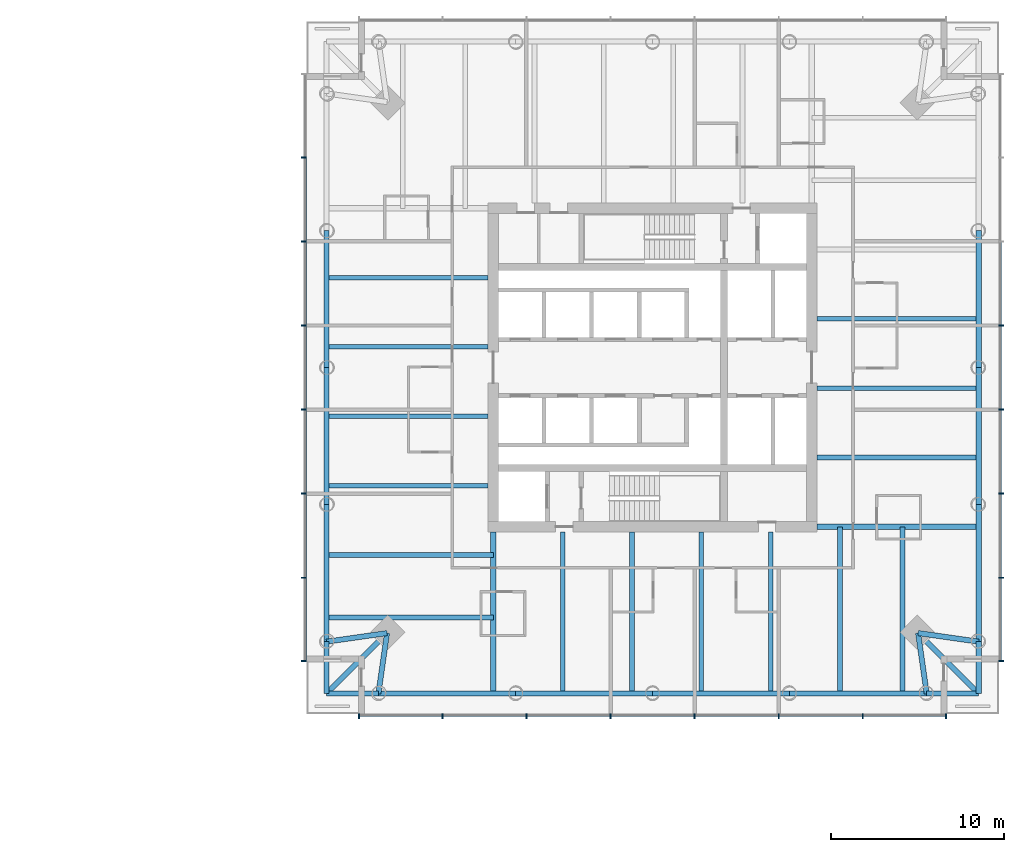
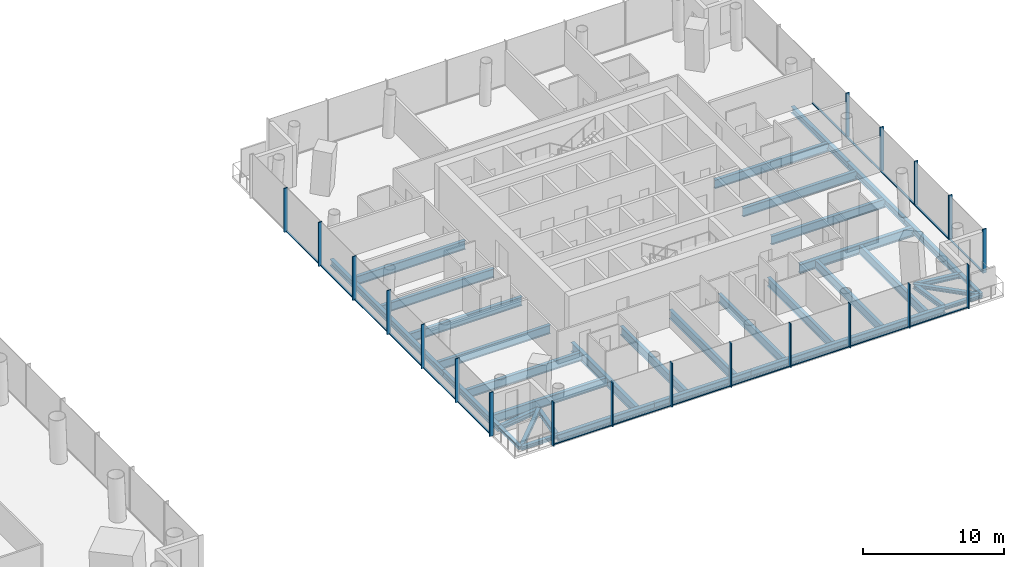
# One storey, part 5 of 19: 38 members, 37 beams, 3 elements without a shape of their own.
"""IFC4 building model written with IfcOpenShell, lengths in metres."""

import ifcopenshell
import ifcopenshell.guid

model = None  # the IFC model being written
_history = None  # IfcOwnerHistory: only IFC2X3 demands one
_inside = {}  # id of a spatial element -> (the spatial element, [elements in it])
_under = {}  # id of a project, library or spatial element -> (it, [spatial elements below it])
_declared = {}  # id of a project -> (the project, [libraries it declares])
_typed = {}  # id of a type object -> (the type object, [elements of that type])
_made_of = {}  # id of a material, layer set ... -> (it, [elements and type objects made of it])


def new_model(schema):
    """Start an empty IFC model of exactly this schema.

    Asked for "IFC4X3", IfcOpenShell would pick the latest addendum, in which some entities
    have other attributes; the version numbers below select the first issue.
    IFC2X3 requires an IfcOwnerHistory on every rooted entity: one is made here for all.
    """
    global model, _history
    if schema == "IFC4X3":
        model = ifcopenshell.file(schema_version=(4, 3, 0, 0))
    else:
        model = ifcopenshell.file(schema=schema)
    _inside.clear()
    _under.clear()
    _declared.clear()
    _typed.clear()
    _made_of.clear()
    _history = None
    if model.schema == "IFC2X3":
        org = make("IfcOrganization", Name="unknown")
        user = make(
            "IfcPersonAndOrganization",
            ThePerson=make("IfcPerson", FamilyName="unknown"),
            TheOrganization=org,
        )
        app = make(
            "IfcApplication",
            ApplicationDeveloper=org,
            Version="unknown",
            ApplicationFullName="unknown",
            ApplicationIdentifier="unknown",
        )
        _history = make(
            "IfcOwnerHistory",
            OwningUser=user,
            OwningApplication=app,
            ChangeAction="ADDED",
            CreationDate=0,
        )
    return model


def make(cls, **values):
    """One entity of the class cls with the attributes given. An attribute that is None is left unset."""
    return model.create_entity(
        cls, **{name: value for name, value in values.items() if value is not None}
    )


def rooted(cls, **values):
    """An entity with a GlobalId (a new one), such as an element, a storey or a relation."""
    return make(cls, GlobalId=ifcopenshell.guid.new(), OwnerHistory=_history, **values)


def si_unit(unit_type, name, prefix=None):
    """IfcSIUnit, for example si_unit("LENGTHUNIT", "METRE", prefix="MILLI")."""
    return make("IfcSIUnit", UnitType=unit_type, Prefix=prefix, Name=name)


def assignment(units):
    """IfcUnitAssignment: the units of a project."""
    return None if units is None else make("IfcUnitAssignment", Units=units)


def point(xyz):
    """IfcCartesianPoint."""
    return None if xyz is None else make("IfcCartesianPoint", Coordinates=xyz)


def direction(xyz):
    """IfcDirection."""
    return None if xyz is None else make("IfcDirection", DirectionRatios=xyz)


def frame(location, z_axis=None, x_axis=None):
    """IfcAxis2Placement3D, a coordinate frame: its origin and axes. An axis left out is left unset."""
    return make(
        "IfcAxis2Placement3D",
        Location=point(location),
        Axis=direction(z_axis),
        RefDirection=direction(x_axis),
    )


def frame_2d(location, x_axis=None):
    """IfcAxis2Placement2D, a coordinate frame in the plane: its origin and x axis."""
    return make(
        "IfcAxis2Placement2D", Location=point(location), RefDirection=direction(x_axis)
    )


def origin():
    """The frame at (0, 0, 0) with its axes left unset."""
    return frame((0.0, 0.0, 0.0))


def origin_2d():
    """The frame at (0, 0) in the plane with its x axis left unset."""
    return frame_2d((0.0, 0.0))


def place(relative_to, where):
    """IfcLocalPlacement: puts the frame where relative to a parent placement (None: the world)."""
    return make(
        "IfcLocalPlacement", PlacementRelTo=relative_to, RelativePlacement=where
    )


def context(
    kind, dimensions, precision=None, world=None, true_north=None, identifier=None
):
    """IfcGeometricRepresentationContext, for example the 3D "Model" context."""
    return make(
        "IfcGeometricRepresentationContext",
        ContextIdentifier=identifier,
        ContextType=kind,
        CoordinateSpaceDimension=dimensions,
        Precision=precision,
        WorldCoordinateSystem=world,
        TrueNorth=true_north,
    )


def subcontext(parent, identifier, kind, view, scale=None):
    """IfcGeometricRepresentationSubContext, for example "Body" below "Model"."""
    return make(
        "IfcGeometricRepresentationSubContext",
        ContextIdentifier=identifier,
        ContextType=kind,
        ParentContext=parent,
        TargetScale=scale,
        TargetView=view,
    )


def project(units=None, contexts=None):
    """IfcProject with its units and contexts."""
    return rooted(
        "IfcProject",
        Name="project",
        RepresentationContexts=contexts,
        UnitsInContext=assignment(units),
    )


def spatial(cls, under=None, at=None, **own):
    """A site, building, storey or space (cls), placed at a placement, below another one or the project."""
    s = rooted(cls, ObjectPlacement=at, **own)
    if under is not None:
        _under.setdefault(under.id(), (under, []))[1].append(s)
    return s


def profile(cls, at=None, kind="AREA", **sizes):
    """A parametric profile (cls). Its sizes go by their IFC names, for example OverallWidth=200.0."""
    return make(cls, ProfileType=kind, Position=at, **sizes)


def rectangle(**sizes):
    """IfcRectangleProfileDef."""
    return profile("IfcRectangleProfileDef", **sizes)


def i_section(**sizes):
    """IfcIShapeProfileDef."""
    return profile("IfcIShapeProfileDef", **sizes)


def extrude(swept, where, along, depth):
    """IfcExtrudedAreaSolid: the profile swept, set in the frame where, extruded along a direction by depth."""
    return make(
        "IfcExtrudedAreaSolid",
        SweptArea=swept,
        Position=where,
        ExtrudedDirection=direction(along),
        Depth=depth,
    )


def shape(context_of_items, identifier, shape_type, items):
    """IfcShapeRepresentation: the items that make up one representation, for example the "Body"."""
    return make(
        "IfcShapeRepresentation",
        ContextOfItems=context_of_items,
        RepresentationIdentifier=identifier,
        RepresentationType=shape_type,
        Items=items,
    )


def material(Name=None, Category=None):
    """IfcMaterial."""
    return make("IfcMaterial", Name=Name, Category=Category)


def material_profile(
    of_material, cross_section, Name=None, Category=None, Priority=None
):
    """IfcMaterialProfile: a cross section and its material."""
    return make(
        "IfcMaterialProfile",
        Name=Name,
        Material=of_material,
        Profile=cross_section,
        Priority=Priority,
        Category=Category,
    )


def profile_set(profiles, Name=None, composite=None):
    """IfcMaterialProfileSet."""
    return make(
        "IfcMaterialProfileSet",
        Name=Name,
        MaterialProfiles=profiles,
        CompositeProfile=composite,
    )


def made_of(thing, what):
    """Note that an element or type object is made of a material, layer set ...; save() writes the relation."""
    if what is not None:
        _made_of.setdefault(what.id(), (what, []))[1].append(thing)
    return thing


def type_object(cls, material=None, **own):
    """A type object (cls), such as IfcWallType, which elements share."""
    return made_of(rooted(cls, **own), material)


def element(
    cls,
    number,
    at=None,
    inside=None,
    cuts=None,
    type_object=None,
    material=None,
    context=None,
    identifier="Body",
    shape_type=None,
    held_by="IfcProductDefinitionShape",
    body=None,
    shapes=None,
    **own,
):
    """One element of the class cls, such as IfcWall. Its Tag is "e" and its number.

    at: its placement. inside: the storey or other place that contains it. cuts: it is an
    opening in that element (IfcRelVoidsElement). A single representation is given by context,
    identifier, shape_type and body (its items); several are given by shapes. held_by: the class
    of the entity that holds the representations. save() writes the other relations.
    """
    e = rooted(cls, Tag="e%d" % number, ObjectPlacement=at, **own)
    if body is not None:
        shapes = [shape(context, identifier, shape_type, body)]
    if shapes is not None:
        e.Representation = make(held_by, Representations=shapes)
    if inside is not None:
        _inside.setdefault(inside.id(), (inside, []))[1].append(e)
    if cuts is not None:
        rooted(
            "IfcRelVoidsElement", RelatingBuildingElement=cuts, RelatedOpeningElement=e
        )
    if type_object is not None:
        _typed.setdefault(type_object.id(), (type_object, []))[1].append(e)
    return made_of(e, material)


def aggregate(whole, parts):
    """IfcRelAggregates: a whole, such as a stair, and the parts it consists of."""
    return rooted("IfcRelAggregates", RelatingObject=whole, RelatedObjects=parts)


def save(model, path):
    """Write the relations noted so far, then the file.

    IfcRelAggregates (storeys below a building ...), IfcRelContainedInSpatialStructure (elements
    in a storey), IfcRelDefinesByType, IfcRelAssociatesMaterial and IfcRelDeclares: one each for
    every whole, place, type object, material and project.
    """
    for whole, parts in _under.values():
        aggregate(whole, parts)
    for where, things in _inside.values():
        rooted(
            "IfcRelContainedInSpatialStructure",
            RelatedElements=things,
            RelatingStructure=where,
        )
    for kind, things in _typed.values():
        rooted("IfcRelDefinesByType", RelatedObjects=things, RelatingType=kind)
    for what, things in _made_of.values():
        rooted("IfcRelAssociatesMaterial", RelatedObjects=things, RelatingMaterial=what)
    for by, libraries in _declared.values():
        rooted("IfcRelDeclares", RelatingContext=by, RelatedDefinitions=libraries)
    model.write(path)


model = new_model("IFC4")

# Units and contexts
model_context = context("Model", 3, precision=1e-05, world=origin(), true_north=direction((0.0, 1.0)))
body_context = subcontext(model_context, "Body", "Model", "MODEL_VIEW")
ifc_project = project(units=[si_unit("LENGTHUNIT", "METRE"), si_unit("AREAUNIT", "SQUARE_METRE"), si_unit("VOLUMEUNIT", "CUBIC_METRE"), si_unit("PLANEANGLEUNIT", "RADIAN"), si_unit("MASSUNIT", "GRAM", prefix="KILO")], contexts=[model_context])

# Site, building, storey
site_placement = place(None, origin())
site = spatial("IfcSite", under=ifc_project, at=site_placement, CompositionType="ELEMENT")
building_placement = place(site_placement, origin())
building = spatial("IfcBuilding", under=site, at=building_placement, Name="Ostroluk Exchange", CompositionType="ELEMENT")
storey_placement = place(building_placement, frame((0.0, 0.0, 24.800048828125)))
storey = spatial("IfcBuildingStorey", under=building, at=storey_placement, Name="L05", CompositionType="ELEMENT", Elevation=24.800048828125)

# Beams
ifc_material_1 = material(Name="Steel S355", Category="steel")
ifc_material_profile_1 = material_profile(ifc_material_1, i_section(OverallWidth=0.300048828125, OverallDepth=0.300048828125, WebThickness=0.010986328125, FlangeThickness=0.01904296875, FilletRadius=0.027099609375, at=origin_2d()), Name="HEB 300")
ifc_profile_set_1 = profile_set([ifc_material_profile_1], Name="Steel S355")
beam_type_1 = type_object("IfcBeamType", Name="Balcony beam HEB 300", PredefinedType="BEAM", material=ifc_profile_set_1)
for number, where, z_axis, x_axis, name in (
    (1, (98.163818359375, 30.163818359375, -0.35009765625), (0.0, -1.0, 0.0), (1.0, 0.0, 0.0), "T2 west balcony beam a"),
    (2, (101.163818359375, 27.163818359375, -0.35009765625), (-1.0, 0.0, 0.0), (0.0, -1.0, 0.0), "T2 west balcony beam b"),
):
    element("IfcBeam", number, at=place(storey_placement, frame(where, z_axis=z_axis, x_axis=x_axis)), inside=storey, type_object=beam_type_1, Name=name, PredefinedType="BEAM", context=body_context, shape_type="SweptSolid", body=[
        extrude(i_section(OverallWidth=0.300048828125, OverallDepth=0.300048828125, WebThickness=0.010986328125, FlangeThickness=0.01904296875, FilletRadius=0.027099609375, at=origin_2d()), origin(), (0.0, 0.0, 1.0), 3.0),
    ])
beam_1_placement = place(storey_placement, frame((101.663818359375, 30.663818359375, -0.35009765625), z_axis=(-0.707106781187, -0.707106781187, 0.0), x_axis=(0.707106781187, -0.707106781187, 0.0)))
element("IfcBeam", 3, at=beam_1_placement, inside=storey, type_object=beam_type_1, Name="T2 west balcony beam c", PredefinedType="BEAM", context=body_context, shape_type="SweptSolid", body=[
    extrude(i_section(OverallWidth=0.300048828125, OverallDepth=0.300048828125, WebThickness=0.010986328125, FlangeThickness=0.01904296875, FilletRadius=0.027099609375, at=origin_2d()), origin(), (0.0, 0.0, 1.0), 4.94970703125),
])
for number, where, z_axis, x_axis, name in (
    (4, (132.836181640625, 27.163818359375, -0.35009765625), (1.0, 0.0, 0.0), (0.0, 1.0, 0.0), "T2 south balcony beam a"),
    (5, (135.836181640625, 30.163818359375, -0.35009765625), (0.0, -1.0, 0.0), (1.0, 0.0, 0.0), "T2 south balcony beam b"),
):
    element("IfcBeam", number, at=place(storey_placement, frame(where, z_axis=z_axis, x_axis=x_axis)), inside=storey, type_object=beam_type_1, Name=name, PredefinedType="BEAM", context=body_context, shape_type="SweptSolid", body=[
        extrude(i_section(OverallWidth=0.300048828125, OverallDepth=0.300048828125, WebThickness=0.010986328125, FlangeThickness=0.01904296875, FilletRadius=0.027099609375, at=origin_2d()), origin(), (0.0, 0.0, 1.0), 3.0),
    ])
beam_2_placement = place(storey_placement, frame((132.336181640625, 30.663818359375, -0.35009765625), z_axis=(0.707106781187, -0.707106781187, 0.0), x_axis=(0.707106781187, 0.707106781187, 0.0)))
element("IfcBeam", 6, at=beam_2_placement, inside=storey, type_object=beam_type_1, Name="T2 south balcony beam c", PredefinedType="BEAM", context=body_context, shape_type="SweptSolid", body=[
    extrude(i_section(OverallWidth=0.300048828125, OverallDepth=0.300048828125, WebThickness=0.010986328125, FlangeThickness=0.01904296875, FilletRadius=0.027099609375, at=origin_2d()), origin(), (0.0, 0.0, 1.0), 4.94970703125),
])
ifc_material_2 = material(Name="Steel S355", Category="steel")
ifc_material_profile_2 = material_profile(ifc_material_2, i_section(OverallWidth=0.300048828125, OverallDepth=0.39990234375, WebThickness=0.013427734375, FlangeThickness=0.02392578125, FilletRadius=0.027099609375, at=origin_2d()), Name="HEB 400")
ifc_profile_set_2 = profile_set([ifc_material_profile_2], Name="Steel S355")
beam_type_2 = type_object("IfcBeamType", Name="Corner edge beam HEB 400", PredefinedType="SPANDREL", material=ifc_profile_set_2)
for number, where, z_axis, x_axis, name in (
    (7, (101.663818359375, 30.663818359375, -0.400146484375), (-0.989949493661, -0.141421356237, 0.0), (0.141421356237, -0.989949493661, 0.0), "T2 west corner edge beam a"),
    (8, (101.663818359375, 30.663818359375, -0.400146484375), (-0.141421356237, -0.989949493661, 0.0), (0.989949493661, -0.141421356237, 0.0), "T2 west corner edge beam b"),
    (9, (132.336181640625, 30.663818359375, -0.400146484375), (0.141421356237, -0.989949493661, 0.0), (0.989949493661, 0.141421356237, 0.0), "T2 south corner edge beam a"),
    (10, (132.336181640625, 30.663818359375, -0.400146484375), (0.989949493661, -0.141421356237, 0.0), (0.141421356237, 0.989949493661, 0.0), "T2 south corner edge beam b"),
):
    element("IfcBeam", number, at=place(storey_placement, frame(where, z_axis=z_axis, x_axis=x_axis)), inside=storey, type_object=beam_type_2, Name=name, PredefinedType="SPANDREL", context=body_context, shape_type="SweptSolid", body=[
        extrude(i_section(OverallWidth=0.300048828125, OverallDepth=0.39990234375, WebThickness=0.013427734375, FlangeThickness=0.02392578125, FilletRadius=0.027099609375, at=origin_2d()), origin(), (0.0, 0.0, 1.0), 3.53564453125),
    ])
ifc_material_3 = material(Name="Steel S355", Category="steel")
ifc_material_profile_3 = material_profile(ifc_material_3, i_section(OverallWidth=0.264892578125, OverallDepth=0.7529296875, WebThickness=0.01318359375, FlangeThickness=0.01708984375, FilletRadius=0.01708984375, at=origin_2d()), Name="IPE 750x147")
ifc_profile_set_3 = profile_set([ifc_material_profile_3], Name="Steel S355")
beam_type_3 = type_object("IfcBeamType", Name="Floor beam IPE 750x147", PredefinedType="BEAM", material=ifc_profile_set_3)
for number, where, z_axis, x_axis, name in (
    (11, (126.5, 40.80517578125, -0.57666015625), (1.0, 0.0, 0.0), (0.0, 1.0, 0.0), "T2 east floor beam 1"),
    (12, (126.5, 44.810302734375, -0.57666015625), (1.0, 0.0, 0.0), (0.0, 1.0, 0.0), "T2 east floor beam 2"),
    (13, (126.5, 48.8154296875, -0.57666015625), (1.0, 0.0, 0.0), (0.0, 1.0, 0.0), "T2 east floor beam 3"),
    (14, (107.5, 51.19482421875, -0.57666015625), (-1.0, 0.0, 0.0), (0.0, -1.0, 0.0), "T2 west floor beam 1"),
    (15, (107.5, 47.189697265625, -0.57666015625), (-1.0, 0.0, 0.0), (0.0, -1.0, 0.0), "T2 west floor beam 2"),
    (16, (107.5, 43.1845703125, -0.57666015625), (-1.0, 0.0, 0.0), (0.0, -1.0, 0.0), "T2 west floor beam 3"),
    (17, (107.5, 39.17919921875, -0.57666015625), (-1.0, 0.0, 0.0), (0.0, -1.0, 0.0), "T2 west floor beam 4"),
):
    element("IfcBeam", number, at=place(storey_placement, frame(where, z_axis=z_axis, x_axis=x_axis)), inside=storey, type_object=beam_type_3, Name=name, PredefinedType="BEAM", context=body_context, shape_type="SweptSolid", body=[
        extrude(i_section(OverallWidth=0.264892578125, OverallDepth=0.7529296875, WebThickness=0.01318359375, FlangeThickness=0.01708984375, FilletRadius=0.01708984375, at=origin_2d()), origin(), (0.0, 0.0, 1.0), 9.336181640625),
    ])
for number, where, z_axis, x_axis, name in (
    (18, (107.800048828125, 35.174072265625, -0.57666015625), (-1.0, 0.0, 0.0), (0.0, -1.0, 0.0), "T2 west floor beam 5"),
    (19, (107.800048828125, 31.563720703125, -0.57666015625), (-1.0, 0.0, 0.0), (0.0, -1.0, 0.0), "T2 west floor beam 6"),
):
    element("IfcBeam", number, at=place(storey_placement, frame(where, z_axis=z_axis, x_axis=x_axis)), inside=storey, type_object=beam_type_3, Name=name, PredefinedType="BEAM", context=body_context, shape_type="SweptSolid", body=[
        extrude(i_section(OverallWidth=0.264892578125, OverallDepth=0.7529296875, WebThickness=0.01318359375, FlangeThickness=0.01708984375, FilletRadius=0.01708984375, at=origin_2d()), origin(), (0.0, 0.0, 1.0), 9.63623046875),
    ])
for number, where, z_axis, x_axis, name in (
    (20, (111.80517578125, 36.5, -0.57666015625), (0.0, -1.0, 0.0), (1.0, 0.0, 0.0), "T2 south floor beam 1"),
    (21, (115.810302734375, 36.5, -0.57666015625), (0.0, -1.0, 0.0), (1.0, 0.0, 0.0), "T2 south floor beam 2"),
    (22, (119.8154296875, 36.5, -0.57666015625), (0.0, -1.0, 0.0), (1.0, 0.0, 0.0), "T2 south floor beam 3"),
    (23, (123.82080078125, 36.5, -0.57666015625), (0.0, -1.0, 0.0), (1.0, 0.0, 0.0), "T2 south floor beam 4"),
):
    element("IfcBeam", number, at=place(storey_placement, frame(where, z_axis=z_axis, x_axis=x_axis)), inside=storey, type_object=beam_type_3, Name=name, PredefinedType="BEAM", context=body_context, shape_type="SweptSolid", body=[
        extrude(i_section(OverallWidth=0.264892578125, OverallDepth=0.7529296875, WebThickness=0.01318359375, FlangeThickness=0.01708984375, FilletRadius=0.01708984375, at=origin_2d()), origin(), (0.0, 0.0, 1.0), 9.336181640625),
    ])
for number, where, z_axis, x_axis, name in (
    (24, (127.825927734375, 36.800048828125, -0.57666015625), (0.0, -1.0, 0.0), (1.0, 0.0, 0.0), "T2 south floor beam 5"),
    (25, (131.436279296875, 36.800048828125, -0.57666015625), (0.0, -1.0, 0.0), (1.0, 0.0, 0.0), "T2 south floor beam 6"),
):
    element("IfcBeam", number, at=place(storey_placement, frame(where, z_axis=z_axis, x_axis=x_axis)), inside=storey, type_object=beam_type_3, Name=name, PredefinedType="BEAM", context=body_context, shape_type="SweptSolid", body=[
        extrude(i_section(OverallWidth=0.264892578125, OverallDepth=0.7529296875, WebThickness=0.01318359375, FlangeThickness=0.01708984375, FilletRadius=0.01708984375, at=origin_2d()), origin(), (0.0, 0.0, 1.0), 9.63623046875),
    ])
ifc_material_4 = material(Name="Steel S355", Category="steel")
ifc_material_profile_4 = material_profile(ifc_material_4, i_section(OverallWidth=0.300048828125, OverallDepth=0.800048828125, WebThickness=0.017578125, FlangeThickness=0.032958984375, FilletRadius=0.030029296875, at=origin_2d()), Name="HEB 800")
ifc_profile_set_4 = profile_set([ifc_material_profile_4], Name="Steel S355")
beam_type_4 = type_object("IfcBeamType", Name="Girder HEB 800", PredefinedType="BEAM", material=ifc_profile_set_4)
for number, where, z_axis, x_axis, name in (
    (26, (107.800048828125, 36.5, -0.60009765625), (0.0, -1.0, 0.0), (1.0, 0.0, 0.0), "T2 west girder"),
    (27, (126.5, 36.800048828125, -0.60009765625), (1.0, 0.0, 0.0), (0.0, 1.0, 0.0), "T2 south girder"),
):
    element("IfcBeam", number, at=place(storey_placement, frame(where, z_axis=z_axis, x_axis=x_axis)), inside=storey, type_object=beam_type_4, Name=name, PredefinedType="BEAM", context=body_context, shape_type="SweptSolid", body=[
        extrude(i_section(OverallWidth=0.300048828125, OverallDepth=0.800048828125, WebThickness=0.017578125, FlangeThickness=0.032958984375, FilletRadius=0.030029296875, at=origin_2d()), origin(), (0.0, 0.0, 1.0), 9.336181640625),
    ])
ifc_material_5 = material(Name="Steel S355", Category="steel")
ifc_material_profile_5 = material_profile(ifc_material_5, i_section(OverallWidth=0.300048828125, OverallDepth=0.550048828125, WebThickness=0.014892578125, FlangeThickness=0.029052734375, FilletRadius=0.027099609375, at=origin_2d()), Name="HEB 550")
ifc_profile_set_5 = profile_set([ifc_material_profile_5], Name="Steel S355")
beam_type_5 = type_object("IfcBeamType", Name="Moment-connected edge beam HEB 550", PredefinedType="SPANDREL", material=ifc_profile_set_5)
beam_3_placement = place(storey_placement, frame((135.836181640625, 30.163818359375, -0.47509765625), z_axis=(0.0, 1.0, 0.0), x_axis=(-1.0, 0.0, 0.0)))
element("IfcBeam", 28, at=beam_3_placement, inside=storey, type_object=beam_type_5, Name="T2 east edge beam 1", PredefinedType="SPANDREL", context=body_context, shape_type="SweptSolid", body=[
    extrude(i_section(OverallWidth=0.300048828125, OverallDepth=0.550048828125, WebThickness=0.014892578125, FlangeThickness=0.029052734375, FilletRadius=0.027099609375, at=origin_2d()), origin(), (0.0, 0.0, 1.0), 7.91796875),
])
for number, where, z_axis, x_axis, name in (
    (29, (135.836181640625, 38.081787109375, -0.47509765625), (0.0, 1.0, 0.0), (-1.0, 0.0, 0.0), "T2 east edge beam 2"),
    (30, (135.836181640625, 46.0, -0.47509765625), (0.0, 1.0, 0.0), (-1.0, 0.0, 0.0), "T2 east edge beam 3"),
    (31, (98.163818359375, 53.918212890625, -0.47509765625), (0.0, -1.0, 0.0), (1.0, 0.0, 0.0), "T2 west edge beam 2"),
    (32, (98.163818359375, 46.0, -0.47509765625), (0.0, -1.0, 0.0), (1.0, 0.0, 0.0), "T2 west edge beam 3"),
):
    element("IfcBeam", number, at=place(storey_placement, frame(where, z_axis=z_axis, x_axis=x_axis)), inside=storey, type_object=beam_type_5, Name=name, PredefinedType="SPANDREL", context=body_context, shape_type="SweptSolid", body=[
        extrude(i_section(OverallWidth=0.300048828125, OverallDepth=0.550048828125, WebThickness=0.014892578125, FlangeThickness=0.029052734375, FilletRadius=0.027099609375, at=origin_2d()), origin(), (0.0, 0.0, 1.0), 7.918212890625),
    ])
for number, where, z_axis, x_axis, name in (
    (33, (98.163818359375, 38.081787109375, -0.47509765625), (0.0, -1.0, 0.0), (1.0, 0.0, 0.0), "T2 west edge beam 4"),
    (34, (101.163818359375, 27.163818359375, -0.47509765625), (1.0, 0.0, 0.0), (0.0, 1.0, 0.0), "T2 south edge beam 1"),
):
    element("IfcBeam", number, at=place(storey_placement, frame(where, z_axis=z_axis, x_axis=x_axis)), inside=storey, type_object=beam_type_5, Name=name, PredefinedType="SPANDREL", context=body_context, shape_type="SweptSolid", body=[
        extrude(i_section(OverallWidth=0.300048828125, OverallDepth=0.550048828125, WebThickness=0.014892578125, FlangeThickness=0.029052734375, FilletRadius=0.027099609375, at=origin_2d()), origin(), (0.0, 0.0, 1.0), 7.91796875),
    ])
for number, where, z_axis, x_axis, name in (
    (35, (109.081787109375, 27.163818359375, -0.47509765625), (1.0, 0.0, 0.0), (0.0, 1.0, 0.0), "T2 south edge beam 2"),
    (36, (117.0, 27.163818359375, -0.47509765625), (1.0, 0.0, 0.0), (0.0, 1.0, 0.0), "T2 south edge beam 3"),
):
    element("IfcBeam", number, at=place(storey_placement, frame(where, z_axis=z_axis, x_axis=x_axis)), inside=storey, type_object=beam_type_5, Name=name, PredefinedType="SPANDREL", context=body_context, shape_type="SweptSolid", body=[
        extrude(i_section(OverallWidth=0.300048828125, OverallDepth=0.550048828125, WebThickness=0.014892578125, FlangeThickness=0.029052734375, FilletRadius=0.027099609375, at=origin_2d()), origin(), (0.0, 0.0, 1.0), 7.918212890625),
    ])
beam_4_placement = place(storey_placement, frame((124.918212890625, 27.163818359375, -0.47509765625), z_axis=(1.0, 0.0, 0.0), x_axis=(0.0, 1.0, 0.0)))
element("IfcBeam", 37, at=beam_4_placement, inside=storey, type_object=beam_type_5, Name="T2 south edge beam 4", PredefinedType="SPANDREL", context=body_context, shape_type="SweptSolid", body=[
    extrude(i_section(OverallWidth=0.300048828125, OverallDepth=0.550048828125, WebThickness=0.014892578125, FlangeThickness=0.029052734375, FilletRadius=0.027099609375, at=origin_2d()), origin(), (0.0, 0.0, 1.0), 7.91796875),
])

# Curtain wall, members
ifc_material_6 = material(Name="Laminated clear glass", Category="glass")
curtain_wall_type = type_object("IfcCurtainWallType", Name="Hotel guest floor facade", PredefinedType="USERDEFINED", material=ifc_material_6)
curtain_wall_1_placement = place(storey_placement, origin())
curtain_wall_1 = element("IfcCurtainWall", 38, at=curtain_wall_1_placement, inside=storey, type_object=curtain_wall_type, Name="Hotel tower south facade L05", ObjectType="UNITISED CURTAIN WALL", PredefinedType="USERDEFINED")
ifc_material_7 = material(Name="Aluminium mullion", Category="aluminium")
ifc_material_profile_6 = material_profile(ifc_material_7, rectangle(XDim=0.14990234375, YDim=0.080078125, at=origin_2d()), Name="Sill transom 80 x 150")
ifc_profile_set_6 = profile_set([ifc_material_profile_6], Name="Aluminium mullion")
member_type_1 = type_object("IfcMemberType", Name="Sill transom 80 x 150", PredefinedType="USERDEFINED", material=ifc_profile_set_6)
member_1_placement = place(storey_placement, frame((100.080078125, 25.925048828125, 0.0400390625), z_axis=(1.0, 0.0, 0.0), x_axis=(0.0, 1.0, 0.0)))
member_1 = element("IfcMember", 39, at=member_1_placement, type_object=member_type_1, Name="CW-H1 transom 1.1", ObjectType="TRANSOM", PredefinedType="USERDEFINED", context=body_context, shape_type="SweptSolid", body=[
    extrude(rectangle(XDim=0.14990234375, YDim=0.080078125, at=origin_2d()), origin(), (0.0, 0.0, 1.0), 4.737060546875),
])
member_2_placement = place(storey_placement, frame((104.897216796875, 25.925048828125, 0.0400390625), z_axis=(1.0, 0.0, 0.0), x_axis=(0.0, 1.0, 0.0)))
member_2 = element("IfcMember", 40, at=member_2_placement, type_object=member_type_1, Name="CW-H1 transom 2.1", ObjectType="TRANSOM", PredefinedType="USERDEFINED", context=body_context, shape_type="SweptSolid", body=[
    extrude(rectangle(XDim=0.14990234375, YDim=0.080078125, at=origin_2d()), origin(), (0.0, 0.0, 1.0), 4.777099609375),
])
member_3_placement = place(storey_placement, frame((109.75439453125, 25.925048828125, 0.0400390625), z_axis=(1.0, 0.0, 0.0), x_axis=(0.0, 1.0, 0.0)))
member_3 = element("IfcMember", 41, at=member_3_placement, type_object=member_type_1, Name="CW-H1 transom 3.1", ObjectType="TRANSOM", PredefinedType="USERDEFINED", context=body_context, shape_type="SweptSolid", body=[
    extrude(rectangle(XDim=0.14990234375, YDim=0.080078125, at=origin_2d()), origin(), (0.0, 0.0, 1.0), 4.777099609375),
])
member_4_placement = place(storey_placement, frame((114.611328125, 25.925048828125, 0.0400390625), z_axis=(1.0, 0.0, 0.0), x_axis=(0.0, 1.0, 0.0)))
member_4 = element("IfcMember", 42, at=member_4_placement, type_object=member_type_1, Name="CW-H1 transom 4.1", ObjectType="TRANSOM", PredefinedType="USERDEFINED", context=body_context, shape_type="SweptSolid", body=[
    extrude(rectangle(XDim=0.14990234375, YDim=0.080078125, at=origin_2d()), origin(), (0.0, 0.0, 1.0), 4.77734375),
])
member_5_placement = place(storey_placement, frame((119.468505859375, 25.925048828125, 0.0400390625), z_axis=(1.0, 0.0, 0.0), x_axis=(0.0, 1.0, 0.0)))
member_5 = element("IfcMember", 43, at=member_5_placement, type_object=member_type_1, Name="CW-H1 transom 5.1", ObjectType="TRANSOM", PredefinedType="USERDEFINED", context=body_context, shape_type="SweptSolid", body=[
    extrude(rectangle(XDim=0.14990234375, YDim=0.080078125, at=origin_2d()), origin(), (0.0, 0.0, 1.0), 4.777099609375),
])
member_6_placement = place(storey_placement, frame((124.32568359375, 25.925048828125, 0.0400390625), z_axis=(1.0, 0.0, 0.0), x_axis=(0.0, 1.0, 0.0)))
member_6 = element("IfcMember", 44, at=member_6_placement, type_object=member_type_1, Name="CW-H1 transom 6.1", ObjectType="TRANSOM", PredefinedType="USERDEFINED", context=body_context, shape_type="SweptSolid", body=[
    extrude(rectangle(XDim=0.14990234375, YDim=0.080078125, at=origin_2d()), origin(), (0.0, 0.0, 1.0), 4.777099609375),
])
member_7_placement = place(storey_placement, frame((129.182861328125, 25.925048828125, 0.0400390625), z_axis=(1.0, 0.0, 0.0), x_axis=(0.0, 1.0, 0.0)))
member_7 = element("IfcMember", 45, at=member_7_placement, type_object=member_type_1, Name="CW-H1 transom 7.1", ObjectType="TRANSOM", PredefinedType="USERDEFINED", context=body_context, shape_type="SweptSolid", body=[
    extrude(rectangle(XDim=0.14990234375, YDim=0.080078125, at=origin_2d()), origin(), (0.0, 0.0, 1.0), 4.737060546875),
])

curtain_wall_2_placement = place(storey_placement, origin())
curtain_wall_2 = element("IfcCurtainWall", 46, at=curtain_wall_2_placement, inside=storey, type_object=curtain_wall_type, Name="Hotel tower east facade L05", ObjectType="UNITISED CURTAIN WALL", PredefinedType="USERDEFINED")
member_8_placement = place(storey_placement, frame((137.074951171875, 29.080078125, 0.0400390625), z_axis=(0.0, 1.0, 0.0), x_axis=(-1.0, 0.0, 0.0)))
member_8 = element("IfcMember", 47, at=member_8_placement, type_object=member_type_1, Name="CW-H1 transom 1.1", ObjectType="TRANSOM", PredefinedType="USERDEFINED", context=body_context, shape_type="SweptSolid", body=[
    extrude(rectangle(XDim=0.14990234375, YDim=0.080078125, at=origin_2d()), origin(), (0.0, 0.0, 1.0), 4.737060546875),
])
member_9_placement = place(storey_placement, frame((137.074951171875, 33.897216796875, 0.0400390625), z_axis=(0.0, 1.0, 0.0), x_axis=(-1.0, 0.0, 0.0)))
member_9 = element("IfcMember", 48, at=member_9_placement, type_object=member_type_1, Name="CW-H1 transom 2.1", ObjectType="TRANSOM", PredefinedType="USERDEFINED", context=body_context, shape_type="SweptSolid", body=[
    extrude(rectangle(XDim=0.14990234375, YDim=0.080078125, at=origin_2d()), origin(), (0.0, 0.0, 1.0), 4.777099609375),
])
member_10_placement = place(storey_placement, frame((137.074951171875, 38.75439453125, 0.0400390625), z_axis=(0.0, 1.0, 0.0), x_axis=(-1.0, 0.0, 0.0)))
member_10 = element("IfcMember", 49, at=member_10_placement, type_object=member_type_1, Name="CW-H1 transom 3.1", ObjectType="TRANSOM", PredefinedType="USERDEFINED", context=body_context, shape_type="SweptSolid", body=[
    extrude(rectangle(XDim=0.14990234375, YDim=0.080078125, at=origin_2d()), origin(), (0.0, 0.0, 1.0), 4.777099609375),
])
member_11_placement = place(storey_placement, frame((137.074951171875, 43.611328125, 0.0400390625), z_axis=(0.0, 1.0, 0.0), x_axis=(-1.0, 0.0, 0.0)))
member_11 = element("IfcMember", 50, at=member_11_placement, type_object=member_type_1, Name="CW-H1 transom 4.1", ObjectType="TRANSOM", PredefinedType="USERDEFINED", context=body_context, shape_type="SweptSolid", body=[
    extrude(rectangle(XDim=0.14990234375, YDim=0.080078125, at=origin_2d()), origin(), (0.0, 0.0, 1.0), 4.77734375),
])
member_12_placement = place(storey_placement, frame((137.074951171875, 48.468505859375, 0.0400390625), z_axis=(0.0, 1.0, 0.0), x_axis=(-1.0, 0.0, 0.0)))
member_12 = element("IfcMember", 51, at=member_12_placement, type_object=member_type_1, Name="CW-H1 transom 5.1", ObjectType="TRANSOM", PredefinedType="USERDEFINED", context=body_context, shape_type="SweptSolid", body=[
    extrude(rectangle(XDim=0.14990234375, YDim=0.080078125, at=origin_2d()), origin(), (0.0, 0.0, 1.0), 4.777099609375),
])

curtain_wall_3_placement = place(storey_placement, origin())
curtain_wall_3 = element("IfcCurtainWall", 52, at=curtain_wall_3_placement, inside=storey, type_object=curtain_wall_type, Name="Hotel tower west facade L05", ObjectType="UNITISED CURTAIN WALL", PredefinedType="USERDEFINED")
member_13_placement = place(storey_placement, frame((96.925048828125, 58.102783203125, 0.0400390625), z_axis=(0.0, -1.0, 0.0), x_axis=(1.0, 0.0, 0.0)))
member_13 = element("IfcMember", 53, at=member_13_placement, type_object=member_type_1, Name="CW-H1 transom 2.1", ObjectType="TRANSOM", PredefinedType="USERDEFINED", context=body_context, shape_type="SweptSolid", body=[
    extrude(rectangle(XDim=0.14990234375, YDim=0.080078125, at=origin_2d()), origin(), (0.0, 0.0, 1.0), 4.777099609375),
])
member_14_placement = place(storey_placement, frame((96.925048828125, 53.24560546875, 0.0400390625), z_axis=(0.0, -1.0, 0.0), x_axis=(1.0, 0.0, 0.0)))
member_14 = element("IfcMember", 54, at=member_14_placement, type_object=member_type_1, Name="CW-H1 transom 3.1", ObjectType="TRANSOM", PredefinedType="USERDEFINED", context=body_context, shape_type="SweptSolid", body=[
    extrude(rectangle(XDim=0.14990234375, YDim=0.080078125, at=origin_2d()), origin(), (0.0, 0.0, 1.0), 4.777099609375),
])
member_15_placement = place(storey_placement, frame((96.925048828125, 48.388671875, 0.0400390625), z_axis=(0.0, -1.0, 0.0), x_axis=(1.0, 0.0, 0.0)))
member_15 = element("IfcMember", 55, at=member_15_placement, type_object=member_type_1, Name="CW-H1 transom 4.1", ObjectType="TRANSOM", PredefinedType="USERDEFINED", context=body_context, shape_type="SweptSolid", body=[
    extrude(rectangle(XDim=0.14990234375, YDim=0.080078125, at=origin_2d()), origin(), (0.0, 0.0, 1.0), 4.77734375),
])
member_16_placement = place(storey_placement, frame((96.925048828125, 43.531494140625, 0.0400390625), z_axis=(0.0, -1.0, 0.0), x_axis=(1.0, 0.0, 0.0)))
member_16 = element("IfcMember", 56, at=member_16_placement, type_object=member_type_1, Name="CW-H1 transom 5.1", ObjectType="TRANSOM", PredefinedType="USERDEFINED", context=body_context, shape_type="SweptSolid", body=[
    extrude(rectangle(XDim=0.14990234375, YDim=0.080078125, at=origin_2d()), origin(), (0.0, 0.0, 1.0), 4.777099609375),
])
member_17_placement = place(storey_placement, frame((96.925048828125, 38.67431640625, 0.0400390625), z_axis=(0.0, -1.0, 0.0), x_axis=(1.0, 0.0, 0.0)))
member_17 = element("IfcMember", 57, at=member_17_placement, type_object=member_type_1, Name="CW-H1 transom 6.1", ObjectType="TRANSOM", PredefinedType="USERDEFINED", context=body_context, shape_type="SweptSolid", body=[
    extrude(rectangle(XDim=0.14990234375, YDim=0.080078125, at=origin_2d()), origin(), (0.0, 0.0, 1.0), 4.777099609375),
])
member_18_placement = place(storey_placement, frame((96.925048828125, 33.817138671875, 0.0400390625), z_axis=(0.0, -1.0, 0.0), x_axis=(1.0, 0.0, 0.0)))
member_18 = element("IfcMember", 58, at=member_18_placement, type_object=member_type_1, Name="CW-H1 transom 7.1", ObjectType="TRANSOM", PredefinedType="USERDEFINED", context=body_context, shape_type="SweptSolid", body=[
    extrude(rectangle(XDim=0.14990234375, YDim=0.080078125, at=origin_2d()), origin(), (0.0, 0.0, 1.0), 4.737060546875),
])

# Member
ifc_material_8 = material(Name="Aluminium mullion with limestone facing", Category="masonry")
ifc_material_profile_7 = material_profile(ifc_material_8, rectangle(XDim=0.300048828125, YDim=0.080078125, at=origin_2d()), Name="Tracery mullion 80 x 300")
ifc_profile_set_7 = profile_set([ifc_material_profile_7], Name="Aluminium mullion with limestone facing")
member_type_2 = type_object("IfcMemberType", Name="Tracery mullion 80 x 300", PredefinedType="MULLION", material=ifc_profile_set_7)
member_19_placement = place(storey_placement, frame((100.0400390625, 25.85009765625, 0.0), z_axis=(0.0, 0.0, 1.0), x_axis=(0.0, 1.0, 0.0)))
member_19 = element("IfcMember", 59, at=member_19_placement, type_object=member_type_2, Name="CW-H1 mullion 1", PredefinedType="MULLION", context=body_context, shape_type="SweptSolid", body=[
    extrude(rectangle(XDim=0.300048828125, YDim=0.080078125, at=origin_2d()), origin(), (0.0, 0.0, 1.0), 3.800048828125),
])

member_20_placement = place(storey_placement, frame((104.857177734375, 25.85009765625, 0.0), z_axis=(0.0, 0.0, 1.0), x_axis=(0.0, 1.0, 0.0)))
member_20 = element("IfcMember", 60, at=member_20_placement, type_object=member_type_2, Name="CW-H1 mullion 2", PredefinedType="MULLION", context=body_context, shape_type="SweptSolid", body=[
    extrude(rectangle(XDim=0.300048828125, YDim=0.080078125, at=origin_2d()), origin(), (0.0, 0.0, 1.0), 3.800048828125),
])

member_21_placement = place(storey_placement, frame((109.71435546875, 25.85009765625, 0.0), z_axis=(0.0, 0.0, 1.0), x_axis=(0.0, 1.0, 0.0)))
member_21 = element("IfcMember", 61, at=member_21_placement, type_object=member_type_2, Name="CW-H1 mullion 3", PredefinedType="MULLION", context=body_context, shape_type="SweptSolid", body=[
    extrude(rectangle(XDim=0.300048828125, YDim=0.080078125, at=origin_2d()), origin(), (0.0, 0.0, 1.0), 3.800048828125),
])

member_22_placement = place(storey_placement, frame((114.571533203125, 25.85009765625, 0.0), z_axis=(0.0, 0.0, 1.0), x_axis=(0.0, 1.0, 0.0)))
member_22 = element("IfcMember", 62, at=member_22_placement, type_object=member_type_2, Name="CW-H1 mullion 4", PredefinedType="MULLION", context=body_context, shape_type="SweptSolid", body=[
    extrude(rectangle(XDim=0.300048828125, YDim=0.080078125, at=origin_2d()), origin(), (0.0, 0.0, 1.0), 3.800048828125),
])

member_23_placement = place(storey_placement, frame((119.428466796875, 25.85009765625, 0.0), z_axis=(0.0, 0.0, 1.0), x_axis=(0.0, 1.0, 0.0)))
member_23 = element("IfcMember", 63, at=member_23_placement, type_object=member_type_2, Name="CW-H1 mullion 5", PredefinedType="MULLION", context=body_context, shape_type="SweptSolid", body=[
    extrude(rectangle(XDim=0.300048828125, YDim=0.080078125, at=origin_2d()), origin(), (0.0, 0.0, 1.0), 3.800048828125),
])

member_24_placement = place(storey_placement, frame((124.28564453125, 25.85009765625, 0.0), z_axis=(0.0, 0.0, 1.0), x_axis=(0.0, 1.0, 0.0)))
member_24 = element("IfcMember", 64, at=member_24_placement, type_object=member_type_2, Name="CW-H1 mullion 6", PredefinedType="MULLION", context=body_context, shape_type="SweptSolid", body=[
    extrude(rectangle(XDim=0.300048828125, YDim=0.080078125, at=origin_2d()), origin(), (0.0, 0.0, 1.0), 3.800048828125),
])

member_25_placement = place(storey_placement, frame((129.142822265625, 25.85009765625, 0.0), z_axis=(0.0, 0.0, 1.0), x_axis=(0.0, 1.0, 0.0)))
member_25 = element("IfcMember", 65, at=member_25_placement, type_object=member_type_2, Name="CW-H1 mullion 7", PredefinedType="MULLION", context=body_context, shape_type="SweptSolid", body=[
    extrude(rectangle(XDim=0.300048828125, YDim=0.080078125, at=origin_2d()), origin(), (0.0, 0.0, 1.0), 3.800048828125),
])

member_26_placement = place(storey_placement, frame((133.9599609375, 25.85009765625, 0.0), z_axis=(0.0, 0.0, 1.0), x_axis=(0.0, 1.0, 0.0)))
member_26 = element("IfcMember", 66, at=member_26_placement, type_object=member_type_2, Name="CW-H1 mullion 8", PredefinedType="MULLION", context=body_context, shape_type="SweptSolid", body=[
    extrude(rectangle(XDim=0.300048828125, YDim=0.080078125, at=origin_2d()), origin(), (0.0, 0.0, 1.0), 3.800048828125),
])

aggregate(curtain_wall_1, [member_19, member_20, member_21, member_22, member_23, member_24, member_25, member_26, member_1, member_2, member_3, member_4, member_5, member_6, member_7])

member_27_placement = place(storey_placement, frame((137.14990234375, 29.0400390625, 0.0), z_axis=(0.0, 0.0, 1.0), x_axis=(-1.0, 0.0, 0.0)))
member_27 = element("IfcMember", 67, at=member_27_placement, type_object=member_type_2, Name="CW-H1 mullion 1", PredefinedType="MULLION", context=body_context, shape_type="SweptSolid", body=[
    extrude(rectangle(XDim=0.300048828125, YDim=0.080078125, at=origin_2d()), origin(), (0.0, 0.0, 1.0), 3.800048828125),
])

member_28_placement = place(storey_placement, frame((137.14990234375, 33.857177734375, 0.0), z_axis=(0.0, 0.0, 1.0), x_axis=(-1.0, 0.0, 0.0)))
member_28 = element("IfcMember", 68, at=member_28_placement, type_object=member_type_2, Name="CW-H1 mullion 2", PredefinedType="MULLION", context=body_context, shape_type="SweptSolid", body=[
    extrude(rectangle(XDim=0.300048828125, YDim=0.080078125, at=origin_2d()), origin(), (0.0, 0.0, 1.0), 3.800048828125),
])

member_29_placement = place(storey_placement, frame((137.14990234375, 38.71435546875, 0.0), z_axis=(0.0, 0.0, 1.0), x_axis=(-1.0, 0.0, 0.0)))
member_29 = element("IfcMember", 69, at=member_29_placement, type_object=member_type_2, Name="CW-H1 mullion 3", PredefinedType="MULLION", context=body_context, shape_type="SweptSolid", body=[
    extrude(rectangle(XDim=0.300048828125, YDim=0.080078125, at=origin_2d()), origin(), (0.0, 0.0, 1.0), 3.800048828125),
])

member_30_placement = place(storey_placement, frame((137.14990234375, 43.571533203125, 0.0), z_axis=(0.0, 0.0, 1.0), x_axis=(-1.0, 0.0, 0.0)))
member_30 = element("IfcMember", 70, at=member_30_placement, type_object=member_type_2, Name="CW-H1 mullion 4", PredefinedType="MULLION", context=body_context, shape_type="SweptSolid", body=[
    extrude(rectangle(XDim=0.300048828125, YDim=0.080078125, at=origin_2d()), origin(), (0.0, 0.0, 1.0), 3.800048828125),
])

member_31_placement = place(storey_placement, frame((137.14990234375, 48.428466796875, 0.0), z_axis=(0.0, 0.0, 1.0), x_axis=(-1.0, 0.0, 0.0)))
member_31 = element("IfcMember", 71, at=member_31_placement, type_object=member_type_2, Name="CW-H1 mullion 5", PredefinedType="MULLION", context=body_context, shape_type="SweptSolid", body=[
    extrude(rectangle(XDim=0.300048828125, YDim=0.080078125, at=origin_2d()), origin(), (0.0, 0.0, 1.0), 3.800048828125),
])

aggregate(curtain_wall_2, [member_27, member_28, member_29, member_30, member_31, member_8, member_9, member_10, member_11, member_12])

member_32_placement = place(storey_placement, frame((96.85009765625, 58.142822265625, 0.0), z_axis=(0.0, 0.0, 1.0), x_axis=(1.0, 0.0, 0.0)))
member_32 = element("IfcMember", 72, at=member_32_placement, type_object=member_type_2, Name="CW-H1 mullion 2", PredefinedType="MULLION", context=body_context, shape_type="SweptSolid", body=[
    extrude(rectangle(XDim=0.300048828125, YDim=0.080078125, at=origin_2d()), origin(), (0.0, 0.0, 1.0), 3.800048828125),
])

member_33_placement = place(storey_placement, frame((96.85009765625, 53.28564453125, 0.0), z_axis=(0.0, 0.0, 1.0), x_axis=(1.0, 0.0, 0.0)))
member_33 = element("IfcMember", 73, at=member_33_placement, type_object=member_type_2, Name="CW-H1 mullion 3", PredefinedType="MULLION", context=body_context, shape_type="SweptSolid", body=[
    extrude(rectangle(XDim=0.300048828125, YDim=0.080078125, at=origin_2d()), origin(), (0.0, 0.0, 1.0), 3.800048828125),
])

member_34_placement = place(storey_placement, frame((96.85009765625, 48.428466796875, 0.0), z_axis=(0.0, 0.0, 1.0), x_axis=(1.0, 0.0, 0.0)))
member_34 = element("IfcMember", 74, at=member_34_placement, type_object=member_type_2, Name="CW-H1 mullion 4", PredefinedType="MULLION", context=body_context, shape_type="SweptSolid", body=[
    extrude(rectangle(XDim=0.300048828125, YDim=0.080078125, at=origin_2d()), origin(), (0.0, 0.0, 1.0), 3.800048828125),
])

member_35_placement = place(storey_placement, frame((96.85009765625, 43.571533203125, 0.0), z_axis=(0.0, 0.0, 1.0), x_axis=(1.0, 0.0, 0.0)))
member_35 = element("IfcMember", 75, at=member_35_placement, type_object=member_type_2, Name="CW-H1 mullion 5", PredefinedType="MULLION", context=body_context, shape_type="SweptSolid", body=[
    extrude(rectangle(XDim=0.300048828125, YDim=0.080078125, at=origin_2d()), origin(), (0.0, 0.0, 1.0), 3.800048828125),
])

member_36_placement = place(storey_placement, frame((96.85009765625, 38.71435546875, 0.0), z_axis=(0.0, 0.0, 1.0), x_axis=(1.0, 0.0, 0.0)))
member_36 = element("IfcMember", 76, at=member_36_placement, type_object=member_type_2, Name="CW-H1 mullion 6", PredefinedType="MULLION", context=body_context, shape_type="SweptSolid", body=[
    extrude(rectangle(XDim=0.300048828125, YDim=0.080078125, at=origin_2d()), origin(), (0.0, 0.0, 1.0), 3.800048828125),
])

member_37_placement = place(storey_placement, frame((96.85009765625, 33.857177734375, 0.0), z_axis=(0.0, 0.0, 1.0), x_axis=(1.0, 0.0, 0.0)))
member_37 = element("IfcMember", 77, at=member_37_placement, type_object=member_type_2, Name="CW-H1 mullion 7", PredefinedType="MULLION", context=body_context, shape_type="SweptSolid", body=[
    extrude(rectangle(XDim=0.300048828125, YDim=0.080078125, at=origin_2d()), origin(), (0.0, 0.0, 1.0), 3.800048828125),
])

member_38_placement = place(storey_placement, frame((96.85009765625, 29.0400390625, 0.0), z_axis=(0.0, 0.0, 1.0), x_axis=(1.0, 0.0, 0.0)))
member_38 = element("IfcMember", 78, at=member_38_placement, type_object=member_type_2, Name="CW-H1 mullion 8", PredefinedType="MULLION", context=body_context, shape_type="SweptSolid", body=[
    extrude(rectangle(XDim=0.300048828125, YDim=0.080078125, at=origin_2d()), origin(), (0.0, 0.0, 1.0), 3.800048828125),
])

aggregate(curtain_wall_3, [member_32, member_33, member_34, member_35, member_36, member_37, member_38, member_13, member_14, member_15, member_16, member_17, member_18])

save(model, "model.ifc")
